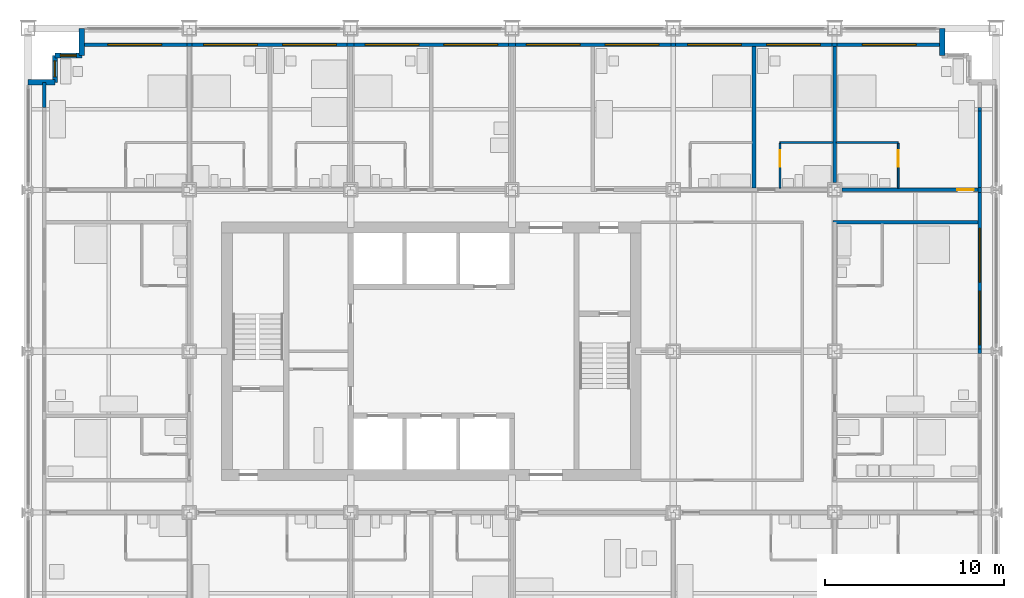
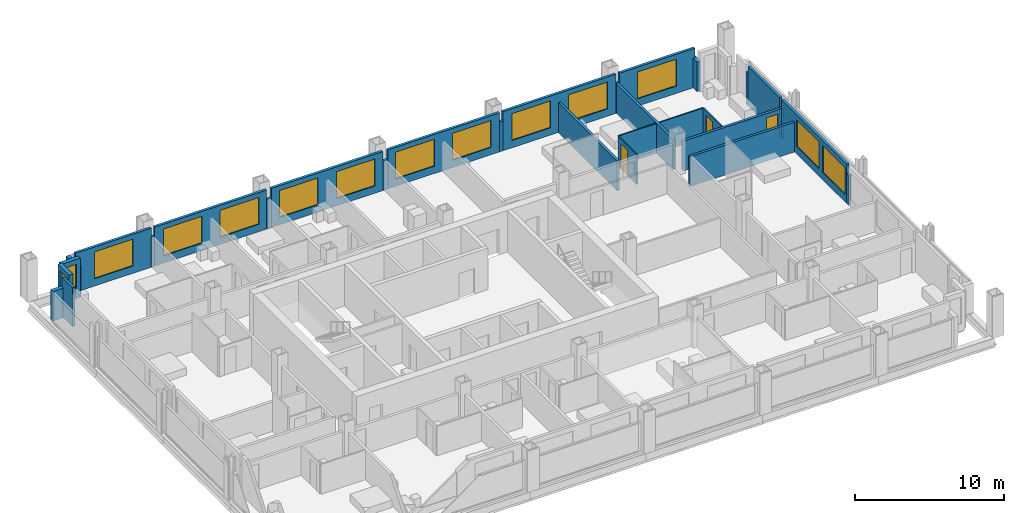
# One storey, part 14 of 18: 30 walls, 14 windows, 3 doors, 17 openings.
"""IFC4 building model written with IfcOpenShell, lengths in metres."""

from ifc_helpers import new_model, si_unit, direction, frame, frame_2d, origin, place, context, subcontext, project, spatial, rectangle, extrude, material, layer, layer_set, type_object, element, fill, save


model = new_model("IFC4")

# Units and contexts
model_context = context("Model", 3, precision=1e-05, world=origin(), true_north=direction((0.0, 1.0)))
body_context = subcontext(model_context, "Body", "Model", "MODEL_VIEW")
ifc_project = project(units=[si_unit("LENGTHUNIT", "METRE"), si_unit("AREAUNIT", "SQUARE_METRE"), si_unit("VOLUMEUNIT", "CUBIC_METRE"), si_unit("PLANEANGLEUNIT", "RADIAN"), si_unit("MASSUNIT", "GRAM", prefix="KILO")], contexts=[model_context])

# Site, building, storey
site_placement = place(None, origin())
site = spatial("IfcSite", under=ifc_project, at=site_placement, CompositionType="ELEMENT")
building_placement = place(site_placement, origin())
building = spatial("IfcBuilding", under=site, at=building_placement, Name="Loomwork Tower", CompositionType="ELEMENT")
storey_placement = place(building_placement, frame((0.0, 0.0, 62.0)))
storey = spatial("IfcBuildingStorey", under=building, at=storey_placement, Name="L15", CompositionType="ELEMENT", Elevation=62.0)

# Wall, opening, door
ifc_material_1 = material(Name="Gypsum board on steel studs, one-hour", Category="steel")
ifc_layer_1 = layer(ifc_material_1, 0.199951171875)
ifc_layer_set_1 = layer_set([ifc_layer_1], Name="Corridor wall 200")
wall_type_1 = type_object("IfcWallType", Name="Corridor wall 200", PredefinedType="PARTITIONING", material=ifc_layer_set_1)
wall_1_placement = place(storey_placement, frame((45.39990234375, 27.0, 0.0), z_axis=(0.0, 0.0, 1.0), x_axis=(1.0, 0.0, 0.0)))
wall_1 = element("IfcWall", 1, at=wall_1_placement, inside=storey, type_object=wall_type_1, Name="North corridor wall 6", PredefinedType="PARTITIONING", context=body_context, shape_type="SweptSolid", body=[
    extrude(rectangle(XDim=7.60009765625, YDim=0.199951171875, at=frame_2d((3.800048828125, 0.0))), origin(), (0.0, 0.0, 1.0), 2.43798828125),
])
opening_1_placement = place(wall_1_placement, frame((6.449951171875, 0.0, 0.0)))
opening_1 = element("IfcOpeningElement", 2, at=opening_1_placement, cuts=wall_1, Name="Opening D1", PredefinedType="OPENING", context=body_context, shape_type="SweptSolid", body=[
    extrude(rectangle(XDim=0.89990234375, YDim=2.10009765625, at=frame_2d((0.449951171875, 1.050048828125))), frame((0.0, 0.10986328125, 0.0), z_axis=(0.0, -1.0, 0.0), x_axis=(1.0, 0.0, 0.0)), (0.0, 0.0, 1.0), 0.219970703125),
])
ifc_material_2 = material(Name="Hollow metal door and frame")
door_type_1 = type_object("IfcDoorType", Name="Guest room entry door 900", OperationType="SINGLE_SWING_LEFT", PredefinedType="DOOR", material=ifc_material_2)
door_1_placement = place(opening_1_placement, origin())
door_1 = element("IfcDoor", 3, at=door_1_placement, inside=storey, type_object=door_type_1, Name="Guest room entry door L15 15", OperationType="SINGLE_SWING_RIGHT", OverallHeight=2.10009765625, OverallWidth=0.89990234375, PredefinedType="DOOR", context=body_context, shape_type="SweptSolid", body=[
    extrude(rectangle(XDim=0.89990234375, YDim=2.10009765625, at=frame_2d((0.449951171875, 1.050048828125))), frame((0.0, 0.02490234375, 0.0), z_axis=(0.0, -1.0, 0.0), x_axis=(1.0, 0.0, 0.0)), (0.0, 0.0, 1.0), 0.050048828125),
])
fill(opening_1, door_1)

# Walls
wall_2_placement = place(storey_placement, frame((44.89990234375, 25.199951171875, 0.0), z_axis=(0.0, 0.0, 1.0), x_axis=(1.0, 0.0, 0.0)))
element("IfcWall", 4, at=wall_2_placement, inside=storey, type_object=wall_type_1, Name="East band end wall N", PredefinedType="PARTITIONING", context=body_context, shape_type="SweptSolid", body=[
    extrude(rectangle(XDim=8.10009765625, YDim=0.199951171875, at=frame_2d((4.050048828125, 0.0))), origin(), (0.0, 0.0, 1.0), 2.43798828125),
])
ifc_material_3 = material(Name="Cement board on steel studs", Category="steel")
ifc_layer_2 = layer(ifc_material_3, 0.10009765625)
ifc_layer_set_2 = layer_set([ifc_layer_2], Name="En-suite partition 100")
wall_type_2 = type_object("IfcWallType", Name="En-suite partition 100", PredefinedType="PARTITIONING", material=ifc_layer_set_2)
wall_3_placement = place(storey_placement, frame((41.949951171875, 29.64990234375, 0.0), z_axis=(0.0, 0.0, 1.0), x_axis=(1.0, 0.0, 0.0)))
element("IfcWall", 5, at=wall_3_placement, inside=storey, type_object=wall_type_2, Name="En-suite wall L15 room 14", PredefinedType="PARTITIONING", context=body_context, shape_type="SweptSolid", body=[
    extrude(rectangle(XDim=2.949951171875, YDim=0.10009765625, at=frame_2d((1.47509765625, 0.0))), origin(), (0.0, 0.0, 1.0), 2.43798828125),
])

# Wall, opening, door
wall_4_placement = place(storey_placement, frame((41.949951171875, 27.10009765625, 0.0), z_axis=(0.0, 0.0, 1.0), x_axis=(0.0, 1.0, 0.0)))
wall_4 = element("IfcWall", 6, at=wall_4_placement, inside=storey, type_object=wall_type_2, Name="En-suite side wall L15 room 14", PredefinedType="PARTITIONING", context=body_context, shape_type="SweptSolid", body=[
    extrude(rectangle(XDim=2.5, YDim=0.10009765625, at=frame_2d((1.25, 0.0))), origin(), (0.0, 0.0, 1.0), 2.43798828125),
])
opening_2_placement = place(wall_4_placement, frame((1.199951171875, 0.0, 0.0)))
opening_2 = element("IfcOpeningElement", 7, at=opening_2_placement, cuts=wall_4, Name="Opening D3", PredefinedType="OPENING", context=body_context, shape_type="SweptSolid", body=[
    extrude(rectangle(XDim=0.89990234375, YDim=2.10009765625, at=frame_2d((0.449951171875, 1.050048828125))), frame((0.0, 0.06005859375, 0.0), z_axis=(0.0, -1.0, 0.0), x_axis=(1.0, 0.0, 0.0)), (0.0, 0.0, 1.0), 0.1201171875),
])
ifc_material_4 = material(Name="Hollow metal door and frame")
door_type_2 = type_object("IfcDoorType", Name="Accessible en-suite door 900", OperationType="SLIDING_TO_LEFT", PredefinedType="DOOR", material=ifc_material_4)
door_2_placement = place(opening_2_placement, origin())
door_2 = element("IfcDoor", 8, at=door_2_placement, inside=storey, type_object=door_type_2, Name="Accessible en-suite door room 14", OperationType="SLIDING_TO_LEFT", OverallHeight=2.10009765625, OverallWidth=0.89990234375, PredefinedType="DOOR", context=body_context, shape_type="SweptSolid", body=[
    extrude(rectangle(XDim=0.89990234375, YDim=2.10009765625, at=frame_2d((0.449951171875, 1.050048828125))), frame((0.0, 0.02490234375, 0.0), z_axis=(0.0, -1.0, 0.0), x_axis=(1.0, 0.0, 0.0)), (0.0, 0.0, 1.0), 0.050048828125),
])
fill(opening_2, door_2)

# Wall
wall_5_placement = place(storey_placement, frame((45.10009765625, 29.64990234375, 0.0), z_axis=(0.0, 0.0, 1.0), x_axis=(1.0, 0.0, 0.0)))
element("IfcWall", 9, at=wall_5_placement, inside=storey, type_object=wall_type_2, Name="En-suite wall L15 room 15", PredefinedType="PARTITIONING", context=body_context, shape_type="SweptSolid", body=[
    extrude(rectangle(XDim=3.449951171875, YDim=0.10009765625, at=frame_2d((1.72509765625, 0.0))), origin(), (0.0, 0.0, 1.0), 2.43798828125),
])

# Wall, opening, door
wall_6_placement = place(storey_placement, frame((48.550048828125, 27.10009765625, 0.0), z_axis=(0.0, 0.0, 1.0), x_axis=(0.0, 1.0, 0.0)))
wall_6 = element("IfcWall", 10, at=wall_6_placement, inside=storey, type_object=wall_type_2, Name="En-suite side wall L15 room 15", PredefinedType="PARTITIONING", context=body_context, shape_type="SweptSolid", body=[
    extrude(rectangle(XDim=2.5, YDim=0.10009765625, at=frame_2d((1.25, 0.0))), origin(), (0.0, 0.0, 1.0), 2.43798828125),
])
opening_3_placement = place(wall_6_placement, frame((1.199951171875, 0.0, 0.0)))
opening_3 = element("IfcOpeningElement", 11, at=opening_3_placement, cuts=wall_6, Name="Opening D2", PredefinedType="OPENING", context=body_context, shape_type="SweptSolid", body=[
    extrude(rectangle(XDim=0.89990234375, YDim=2.10009765625, at=frame_2d((0.449951171875, 1.050048828125))), frame((0.0, 0.06005859375, 0.0), z_axis=(0.0, -1.0, 0.0), x_axis=(1.0, 0.0, 0.0)), (0.0, 0.0, 1.0), 0.1201171875),
])
ifc_material_5 = material(Name="Hollow metal door and frame")
door_type_3 = type_object("IfcDoorType", Name="En-suite door 900", OperationType="SINGLE_SWING_LEFT", PredefinedType="DOOR", material=ifc_material_5)
door_3_placement = place(opening_3_placement, origin())
door_3 = element("IfcDoor", 12, at=door_3_placement, inside=storey, type_object=door_type_3, Name="En-suite door room 15", OperationType="SINGLE_SWING_RIGHT", OverallHeight=2.10009765625, OverallWidth=0.89990234375, PredefinedType="DOOR", context=body_context, shape_type="SweptSolid", body=[
    extrude(rectangle(XDim=0.89990234375, YDim=2.10009765625, at=frame_2d((0.449951171875, 1.050048828125))), frame((0.0, 0.02490234375, 0.0), z_axis=(0.0, -1.0, 0.0), x_axis=(1.0, 0.0, 0.0)), (0.0, 0.0, 1.0), 0.050048828125),
])
fill(opening_3, door_3)

# Walls
ifc_material_6 = material(Name="Gypsum board on steel studs, acoustic", Category="steel")
ifc_layer_3 = layer(ifc_material_6, 0.199951171875)
ifc_layer_set_3 = layer_set([ifc_layer_3], Name="Guest room party wall 200")
wall_type_3 = type_object("IfcWallType", Name="Guest room party wall 200", PredefinedType="PARTITIONING", material=ifc_layer_set_3)
wall_7_placement = place(storey_placement, frame((40.5, 27.10009765625, 0.0), z_axis=(0.0, 0.0, 1.0), x_axis=(0.0, 1.0, 0.0)))
element("IfcWall", 13, at=wall_7_placement, inside=storey, type_object=wall_type_3, Name="Guest room party wall N 40.5", PredefinedType="PARTITIONING", context=body_context, shape_type="SweptSolid", body=[
    extrude(rectangle(XDim=7.89990234375, YDim=0.199951171875, at=frame_2d((3.949951171875, 0.0))), origin(), (0.0, 0.0, 1.0), 2.43798828125),
])
wall_8_placement = place(storey_placement, frame((45.0, 27.39990234375, 0.0), z_axis=(0.0, 0.0, 1.0), x_axis=(0.0, 1.0, 0.0)))
element("IfcWall", 14, at=wall_8_placement, inside=storey, type_object=wall_type_3, Name="Guest room party wall N 45", PredefinedType="PARTITIONING", context=body_context, shape_type="SweptSolid", body=[
    extrude(rectangle(XDim=7.60009765625, YDim=0.199951171875, at=frame_2d((3.800048828125, 0.0))), origin(), (0.0, 0.0, 1.0), 2.43798828125),
])

# Wall, opening, window
ifc_material_7 = material(Name="Insulated steel stud wall with gypsum lining", Category="steel")
ifc_layer_4 = layer(ifc_material_7, 0.199951171875)
ifc_layer_set_4 = layer_set([ifc_layer_4], Name="Inner skin wall 200")
wall_type_4 = type_object("IfcWallType", Name="Inner skin wall 200", PredefinedType="SOLIDWALL", material=ifc_layer_set_4)
wall_9_placement = place(storey_placement, frame((3.0, 35.10009765625, 0.0), z_axis=(0.0, 0.0, 1.0), x_axis=(1.0, 0.0, 0.0)))
wall_9 = element("IfcWall", 15, at=wall_9_placement, inside=storey, type_object=wall_type_4, Name="Inner skin wall N", PredefinedType="SOLIDWALL", context=body_context, shape_type="SweptSolid", body=[
    extrude(rectangle(XDim=5.86474609375, YDim=0.199951171875, at=frame_2d((2.932373046875, 0.0))), origin(), (0.0, 0.0, 1.0), 3.199951171875),
])
opening_4_placement = place(wall_9_placement, frame((1.449951171875, 0.0, 0.60009765625)))
opening_4 = element("IfcOpeningElement", 16, at=opening_4_placement, cuts=wall_9, Name="Opening CH1", PredefinedType="OPENING", context=body_context, shape_type="SweptSolid", body=[
    extrude(rectangle(XDim=3.0, YDim=2.199951171875, at=frame_2d((1.5, 1.10009765625))), frame((0.0, 0.10986328125, 0.0), z_axis=(0.0, -1.0, 0.0), x_axis=(1.0, 0.0, 0.0)), (0.0, 0.0, 1.0), 0.219970703125),
])
ifc_material_8 = material(Name="Aluminium frame with clear insulated glass", Category="aluminium")
window_type_1 = type_object("IfcWindowType", Name="Chicago window 3000", PartitioningType="TRIPLE_PANEL_VERTICAL", PredefinedType="WINDOW", material=ifc_material_8)
window_1_placement = place(opening_4_placement, origin())
window_1 = element("IfcWindow", 17, at=window_1_placement, inside=storey, type_object=window_type_1, Name="Chicago window L15 bay 7", OverallHeight=2.199951171875, OverallWidth=3.0, PartitioningType="TRIPLE_PANEL_VERTICAL", PredefinedType="WINDOW", context=body_context, shape_type="SweptSolid", body=[
    extrude(rectangle(XDim=3.0, YDim=2.199951171875, at=frame_2d((1.5, 1.10009765625))), frame((0.0, 0.030029296875, 0.0), z_axis=(0.0, -1.0, 0.0), x_axis=(1.0, 0.0, 0.0)), (0.0, 0.0, 1.0), 0.06005859375),
])
fill(opening_4, window_1)

# Walls
wall_10_placement = place(storey_placement, frame((0.89990234375, 31.607421875, 0.0), z_axis=(0.0, 0.0, 1.0), x_axis=(0.0, 1.0, 0.0)))
element("IfcWall", 18, at=wall_10_placement, inside=storey, type_object=wall_type_4, Name="Inner skin wall W bay 11", PredefinedType="SOLIDWALL", context=body_context, shape_type="SweptSolid", body=[
    extrude(rectangle(XDim=1.392578125, YDim=0.199951171875, at=frame_2d((0.6962890625, 0.0))), origin(), (0.0, 0.0, 1.0), 3.199951171875),
])
wall_11_placement = place(storey_placement, frame((8.86474609375, 35.10009765625, 0.0), z_axis=(0.0, 0.0, 1.0), x_axis=(1.0, 0.0, 0.0)))
element("IfcWall", 19, at=wall_11_placement, inside=storey, type_object=wall_type_4, Name="Inner skin wall N bay 2", PredefinedType="SOLIDWALL", context=body_context, shape_type="SweptSolid", body=[
    extrude(rectangle(XDim=0.2705078125, YDim=0.199951171875, at=frame_2d((0.13525390625, 0.0))), origin(), (0.0, 0.0, 1.0), 2.43798828125),
])

# Wall, openings, windows
wall_12_placement = place(storey_placement, frame((9.13525390625, 35.10009765625, 0.0), z_axis=(0.0, 0.0, 1.0), x_axis=(1.0, 0.0, 0.0)))
wall_12 = element("IfcWall", 20, at=wall_12_placement, inside=storey, type_object=wall_type_4, Name="Inner skin wall N bay 3", PredefinedType="SOLIDWALL", context=body_context, shape_type="SweptSolid", body=[
    extrude(rectangle(XDim=8.6708984375, YDim=0.199951171875, at=frame_2d((4.33544921875, 0.0))), origin(), (0.0, 0.0, 1.0), 3.199951171875),
])
opening_5_placement = place(wall_12_placement, frame((0.664794921875, 0.0, 0.60009765625)))
opening_5 = element("IfcOpeningElement", 21, at=opening_5_placement, cuts=wall_12, Name="Opening CH1", PredefinedType="OPENING", context=body_context, shape_type="SweptSolid", body=[
    extrude(rectangle(XDim=3.0, YDim=2.199951171875, at=frame_2d((1.5, 1.10009765625))), frame((0.0, 0.10986328125, 0.0), z_axis=(0.0, -1.0, 0.0), x_axis=(1.0, 0.0, 0.0)), (0.0, 0.0, 1.0), 0.219970703125),
])
opening_6_placement = place(wall_12_placement, frame((5.064697265625, 0.0, 0.60009765625)))
opening_6 = element("IfcOpeningElement", 22, at=opening_6_placement, cuts=wall_12, Name="Opening CH1", PredefinedType="OPENING", context=body_context, shape_type="SweptSolid", body=[
    extrude(rectangle(XDim=3.0, YDim=2.199951171875, at=frame_2d((1.5, 1.10009765625))), frame((0.0, 0.10986328125, 0.0), z_axis=(0.0, -1.0, 0.0), x_axis=(1.0, 0.0, 0.0)), (0.0, 0.0, 1.0), 0.219970703125),
])
window_2_placement = place(opening_5_placement, origin())
window_2 = element("IfcWindow", 23, at=window_2_placement, inside=storey, type_object=window_type_1, Name="Chicago window L15 bay 8", OverallHeight=2.199951171875, OverallWidth=3.0, PartitioningType="TRIPLE_PANEL_VERTICAL", PredefinedType="WINDOW", context=body_context, shape_type="SweptSolid", body=[
    extrude(rectangle(XDim=3.0, YDim=2.199951171875, at=frame_2d((1.5, 1.10009765625))), frame((0.0, 0.030029296875, 0.0), z_axis=(0.0, -1.0, 0.0), x_axis=(1.0, 0.0, 0.0)), (0.0, 0.0, 1.0), 0.06005859375),
])
fill(opening_5, window_2)
window_3_placement = place(opening_6_placement, origin())
window_3 = element("IfcWindow", 24, at=window_3_placement, inside=storey, type_object=window_type_1, Name="Chicago window L15 bay 8", OverallHeight=2.199951171875, OverallWidth=3.0, PartitioningType="TRIPLE_PANEL_VERTICAL", PredefinedType="WINDOW", context=body_context, shape_type="SweptSolid", body=[
    extrude(rectangle(XDim=3.0, YDim=2.199951171875, at=frame_2d((1.5, 1.10009765625))), frame((0.0, 0.030029296875, 0.0), z_axis=(0.0, -1.0, 0.0), x_axis=(1.0, 0.0, 0.0)), (0.0, 0.0, 1.0), 0.06005859375),
])
fill(opening_6, window_3)

# Wall
wall_13_placement = place(storey_placement, frame((17.80615234375, 35.10009765625, 0.0), z_axis=(0.0, 0.0, 1.0), x_axis=(1.0, 0.0, 0.0)))
element("IfcWall", 25, at=wall_13_placement, inside=storey, type_object=wall_type_4, Name="Inner skin wall N bay 4", PredefinedType="SOLIDWALL", context=body_context, shape_type="SweptSolid", body=[
    extrude(rectangle(XDim=0.3876953125, YDim=0.199951171875, at=frame_2d((0.19384765625, 0.0))), origin(), (0.0, 0.0, 1.0), 2.404052734375),
])

# Wall, openings, windows
wall_14_placement = place(storey_placement, frame((18.19384765625, 35.10009765625, 0.0), z_axis=(0.0, 0.0, 1.0), x_axis=(1.0, 0.0, 0.0)))
wall_14 = element("IfcWall", 26, at=wall_14_placement, inside=storey, type_object=wall_type_4, Name="Inner skin wall N bay 5", PredefinedType="SOLIDWALL", context=body_context, shape_type="SweptSolid", body=[
    extrude(rectangle(XDim=8.6123046875, YDim=0.199951171875, at=frame_2d((4.30615234375, 0.0))), origin(), (0.0, 0.0, 1.0), 3.199951171875),
])
opening_7_placement = place(wall_14_placement, frame((0.606201171875, 0.0, 0.60009765625)))
opening_7 = element("IfcOpeningElement", 27, at=opening_7_placement, cuts=wall_14, Name="Opening CH1", PredefinedType="OPENING", context=body_context, shape_type="SweptSolid", body=[
    extrude(rectangle(XDim=3.0, YDim=2.199951171875, at=frame_2d((1.5, 1.10009765625))), frame((0.0, 0.10986328125, 0.0), z_axis=(0.0, -1.0, 0.0), x_axis=(1.0, 0.0, 0.0)), (0.0, 0.0, 1.0), 0.219970703125),
])
opening_8_placement = place(wall_14_placement, frame((5.006103515625, 0.0, 0.60009765625)))
opening_8 = element("IfcOpeningElement", 28, at=opening_8_placement, cuts=wall_14, Name="Opening CH1", PredefinedType="OPENING", context=body_context, shape_type="SweptSolid", body=[
    extrude(rectangle(XDim=3.0, YDim=2.199951171875, at=frame_2d((1.5, 1.10009765625))), frame((0.0, 0.10986328125, 0.0), z_axis=(0.0, -1.0, 0.0), x_axis=(1.0, 0.0, 0.0)), (0.0, 0.0, 1.0), 0.219970703125),
])
window_4_placement = place(opening_7_placement, origin())
window_4 = element("IfcWindow", 29, at=window_4_placement, inside=storey, type_object=window_type_1, Name="Chicago window L15 bay 9", OverallHeight=2.199951171875, OverallWidth=3.0, PartitioningType="TRIPLE_PANEL_VERTICAL", PredefinedType="WINDOW", context=body_context, shape_type="SweptSolid", body=[
    extrude(rectangle(XDim=3.0, YDim=2.199951171875, at=frame_2d((1.5, 1.10009765625))), frame((0.0, 0.030029296875, 0.0), z_axis=(0.0, -1.0, 0.0), x_axis=(1.0, 0.0, 0.0)), (0.0, 0.0, 1.0), 0.06005859375),
])
fill(opening_7, window_4)
window_5_placement = place(opening_8_placement, origin())
window_5 = element("IfcWindow", 30, at=window_5_placement, inside=storey, type_object=window_type_1, Name="Chicago window L15 bay 9", OverallHeight=2.199951171875, OverallWidth=3.0, PartitioningType="TRIPLE_PANEL_VERTICAL", PredefinedType="WINDOW", context=body_context, shape_type="SweptSolid", body=[
    extrude(rectangle(XDim=3.0, YDim=2.199951171875, at=frame_2d((1.5, 1.10009765625))), frame((0.0, 0.030029296875, 0.0), z_axis=(0.0, -1.0, 0.0), x_axis=(1.0, 0.0, 0.0)), (0.0, 0.0, 1.0), 0.06005859375),
])
fill(opening_8, window_5)

# Wall
wall_15_placement = place(storey_placement, frame((26.80615234375, 35.10009765625, 0.0), z_axis=(0.0, 0.0, 1.0), x_axis=(1.0, 0.0, 0.0)))
element("IfcWall", 31, at=wall_15_placement, inside=storey, type_object=wall_type_4, Name="Inner skin wall N bay 6", PredefinedType="SOLIDWALL", context=body_context, shape_type="SweptSolid", body=[
    extrude(rectangle(XDim=0.3876953125, YDim=0.199951171875, at=frame_2d((0.19384765625, 0.0))), origin(), (0.0, 0.0, 1.0), 2.404052734375),
])

# Wall, openings, windows
wall_16_placement = place(storey_placement, frame((27.19384765625, 35.10009765625, 0.0), z_axis=(0.0, 0.0, 1.0), x_axis=(1.0, 0.0, 0.0)))
wall_16 = element("IfcWall", 32, at=wall_16_placement, inside=storey, type_object=wall_type_4, Name="Inner skin wall N bay 7", PredefinedType="SOLIDWALL", context=body_context, shape_type="SweptSolid", body=[
    extrude(rectangle(XDim=8.670654296875, YDim=0.199951171875, at=frame_2d((4.33544921875, 0.0))), origin(), (0.0, 0.0, 1.0), 3.199951171875),
])
opening_9_placement = place(wall_16_placement, frame((0.606201171875, 0.0, 0.60009765625)))
opening_9 = element("IfcOpeningElement", 33, at=opening_9_placement, cuts=wall_16, Name="Opening CH1", PredefinedType="OPENING", context=body_context, shape_type="SweptSolid", body=[
    extrude(rectangle(XDim=3.0, YDim=2.199951171875, at=frame_2d((1.5, 1.10009765625))), frame((0.0, 0.10986328125, 0.0), z_axis=(0.0, -1.0, 0.0), x_axis=(1.0, 0.0, 0.0)), (0.0, 0.0, 1.0), 0.219970703125),
])
opening_10_placement = place(wall_16_placement, frame((5.006103515625, 0.0, 0.60009765625)))
opening_10 = element("IfcOpeningElement", 34, at=opening_10_placement, cuts=wall_16, Name="Opening CH1", PredefinedType="OPENING", context=body_context, shape_type="SweptSolid", body=[
    extrude(rectangle(XDim=3.0, YDim=2.199951171875, at=frame_2d((1.5, 1.10009765625))), frame((0.0, 0.10986328125, 0.0), z_axis=(0.0, -1.0, 0.0), x_axis=(1.0, 0.0, 0.0)), (0.0, 0.0, 1.0), 0.219970703125),
])
window_6_placement = place(opening_9_placement, origin())
window_6 = element("IfcWindow", 35, at=window_6_placement, inside=storey, type_object=window_type_1, Name="Chicago window L15 bay 10", OverallHeight=2.199951171875, OverallWidth=3.0, PartitioningType="TRIPLE_PANEL_VERTICAL", PredefinedType="WINDOW", context=body_context, shape_type="SweptSolid", body=[
    extrude(rectangle(XDim=3.0, YDim=2.199951171875, at=frame_2d((1.5, 1.10009765625))), frame((0.0, 0.030029296875, 0.0), z_axis=(0.0, -1.0, 0.0), x_axis=(1.0, 0.0, 0.0)), (0.0, 0.0, 1.0), 0.06005859375),
])
fill(opening_9, window_6)
window_7_placement = place(opening_10_placement, origin())
window_7 = element("IfcWindow", 36, at=window_7_placement, inside=storey, type_object=window_type_1, Name="Chicago window L15 bay 10", OverallHeight=2.199951171875, OverallWidth=3.0, PartitioningType="TRIPLE_PANEL_VERTICAL", PredefinedType="WINDOW", context=body_context, shape_type="SweptSolid", body=[
    extrude(rectangle(XDim=3.0, YDim=2.199951171875, at=frame_2d((1.5, 1.10009765625))), frame((0.0, 0.030029296875, 0.0), z_axis=(0.0, -1.0, 0.0), x_axis=(1.0, 0.0, 0.0)), (0.0, 0.0, 1.0), 0.06005859375),
])
fill(opening_10, window_7)

# Wall
wall_17_placement = place(storey_placement, frame((35.864501953125, 35.10009765625, 0.0), z_axis=(0.0, 0.0, 1.0), x_axis=(1.0, 0.0, 0.0)))
element("IfcWall", 37, at=wall_17_placement, inside=storey, type_object=wall_type_4, Name="Inner skin wall N bay 8", PredefinedType="SOLIDWALL", context=body_context, shape_type="SweptSolid", body=[
    extrude(rectangle(XDim=0.27099609375, YDim=0.199951171875, at=frame_2d((0.135498046875, 0.0))), origin(), (0.0, 0.0, 1.0), 2.43798828125),
])

# Wall, openings, windows
wall_18_placement = place(storey_placement, frame((36.135498046875, 35.10009765625, 0.0), z_axis=(0.0, 0.0, 1.0), x_axis=(1.0, 0.0, 0.0)))
wall_18 = element("IfcWall", 38, at=wall_18_placement, inside=storey, type_object=wall_type_4, Name="Inner skin wall N bay 9", PredefinedType="SOLIDWALL", context=body_context, shape_type="SweptSolid", body=[
    extrude(rectangle(XDim=8.72900390625, YDim=0.199951171875, at=frame_2d((4.364501953125, 0.0))), origin(), (0.0, 0.0, 1.0), 3.199951171875),
])
opening_11_placement = place(wall_18_placement, frame((0.66455078125, 0.0, 0.60009765625)))
opening_11 = element("IfcOpeningElement", 39, at=opening_11_placement, cuts=wall_18, Name="Opening CH1", PredefinedType="OPENING", context=body_context, shape_type="SweptSolid", body=[
    extrude(rectangle(XDim=3.0, YDim=2.199951171875, at=frame_2d((1.5, 1.10009765625))), frame((0.0, 0.10986328125, 0.0), z_axis=(0.0, -1.0, 0.0), x_axis=(1.0, 0.0, 0.0)), (0.0, 0.0, 1.0), 0.219970703125),
])
opening_12_placement = place(wall_18_placement, frame((5.064697265625, 0.0, 0.60009765625)))
opening_12 = element("IfcOpeningElement", 40, at=opening_12_placement, cuts=wall_18, Name="Opening CH1", PredefinedType="OPENING", context=body_context, shape_type="SweptSolid", body=[
    extrude(rectangle(XDim=3.0, YDim=2.199951171875, at=frame_2d((1.5, 1.10009765625))), frame((0.0, 0.10986328125, 0.0), z_axis=(0.0, -1.0, 0.0), x_axis=(1.0, 0.0, 0.0)), (0.0, 0.0, 1.0), 0.219970703125),
])
window_8_placement = place(opening_11_placement, origin())
window_8 = element("IfcWindow", 41, at=window_8_placement, inside=storey, type_object=window_type_1, Name="Chicago window L15 bay 11", OverallHeight=2.199951171875, OverallWidth=3.0, PartitioningType="TRIPLE_PANEL_VERTICAL", PredefinedType="WINDOW", context=body_context, shape_type="SweptSolid", body=[
    extrude(rectangle(XDim=3.0, YDim=2.199951171875, at=frame_2d((1.5, 1.10009765625))), frame((0.0, 0.030029296875, 0.0), z_axis=(0.0, -1.0, 0.0), x_axis=(1.0, 0.0, 0.0)), (0.0, 0.0, 1.0), 0.06005859375),
])
fill(opening_11, window_8)
window_9_placement = place(opening_12_placement, origin())
window_9 = element("IfcWindow", 42, at=window_9_placement, inside=storey, type_object=window_type_1, Name="Chicago window L15 bay 11", OverallHeight=2.199951171875, OverallWidth=3.0, PartitioningType="TRIPLE_PANEL_VERTICAL", PredefinedType="WINDOW", context=body_context, shape_type="SweptSolid", body=[
    extrude(rectangle(XDim=3.0, YDim=2.199951171875, at=frame_2d((1.5, 1.10009765625))), frame((0.0, 0.030029296875, 0.0), z_axis=(0.0, -1.0, 0.0), x_axis=(1.0, 0.0, 0.0)), (0.0, 0.0, 1.0), 0.06005859375),
])
fill(opening_12, window_9)

# Wall
wall_19_placement = place(storey_placement, frame((44.864501953125, 35.10009765625, 0.0), z_axis=(0.0, 0.0, 1.0), x_axis=(1.0, 0.0, 0.0)))
element("IfcWall", 43, at=wall_19_placement, inside=storey, type_object=wall_type_4, Name="Inner skin wall N bay 10", PredefinedType="SOLIDWALL", context=body_context, shape_type="SweptSolid", body=[
    extrude(rectangle(XDim=0.27099609375, YDim=0.199951171875, at=frame_2d((0.135498046875, 0.0))), origin(), (0.0, 0.0, 1.0), 2.43798828125),
])

# Wall, opening, window
wall_20_placement = place(storey_placement, frame((45.135498046875, 35.10009765625, 0.0), z_axis=(0.0, 0.0, 1.0), x_axis=(1.0, 0.0, 0.0)))
wall_20 = element("IfcWall", 44, at=wall_20_placement, inside=storey, type_object=wall_type_4, Name="Inner skin wall N bay 11", PredefinedType="SOLIDWALL", context=body_context, shape_type="SweptSolid", body=[
    extrude(rectangle(XDim=5.864501953125, YDim=0.199951171875, at=frame_2d((2.93212890625, 0.0))), origin(), (0.0, 0.0, 1.0), 3.199951171875),
])
opening_13_placement = place(wall_20_placement, frame((1.41455078125, 0.0, 0.60009765625)))
opening_13 = element("IfcOpeningElement", 45, at=opening_13_placement, cuts=wall_20, Name="Opening CH1", PredefinedType="OPENING", context=body_context, shape_type="SweptSolid", body=[
    extrude(rectangle(XDim=3.0, YDim=2.199951171875, at=frame_2d((1.5, 1.10009765625))), frame((0.0, 0.10986328125, 0.0), z_axis=(0.0, -1.0, 0.0), x_axis=(1.0, 0.0, 0.0)), (0.0, 0.0, 1.0), 0.219970703125),
])
window_10_placement = place(opening_13_placement, origin())
window_10 = element("IfcWindow", 46, at=window_10_placement, inside=storey, type_object=window_type_1, Name="Chicago window L15 bay 12", OverallHeight=2.199951171875, OverallWidth=3.0, PartitioningType="TRIPLE_PANEL_VERTICAL", PredefinedType="WINDOW", context=body_context, shape_type="SweptSolid", body=[
    extrude(rectangle(XDim=3.0, YDim=2.199951171875, at=frame_2d((1.5, 1.10009765625))), frame((0.0, 0.030029296875, 0.0), z_axis=(0.0, -1.0, 0.0), x_axis=(1.0, 0.0, 0.0)), (0.0, 0.0, 1.0), 0.06005859375),
])
fill(opening_13, window_10)

# Wall
wall_21_placement = place(storey_placement, frame((53.10009765625, 17.864501953125, 0.0), z_axis=(0.0, 0.0, 1.0), x_axis=(0.0, 1.0, 0.0)))
element("IfcWall", 47, at=wall_21_placement, inside=storey, type_object=wall_type_4, Name="Inner skin wall E bay 6", PredefinedType="SOLIDWALL", context=body_context, shape_type="SweptSolid", body=[
    extrude(rectangle(XDim=0.27099609375, YDim=0.199951171875, at=frame_2d((0.135498046875, 0.0))), origin(), (0.0, 0.0, 1.0), 2.43798828125),
])

# Wall, openings, windows
wall_22_placement = place(storey_placement, frame((53.10009765625, 18.135498046875, 0.0), z_axis=(0.0, 0.0, 1.0), x_axis=(0.0, 1.0, 0.0)))
wall_22 = element("IfcWall", 48, at=wall_22_placement, inside=storey, type_object=wall_type_4, Name="Inner skin wall E bay 7", PredefinedType="SOLIDWALL", context=body_context, shape_type="SweptSolid", body=[
    extrude(rectangle(XDim=8.729248046875, YDim=0.199951171875, at=frame_2d((4.36474609375, 0.0))), origin(), (0.0, 0.0, 1.0), 3.199951171875),
])
opening_14_placement = place(wall_22_placement, frame((0.214599609375, 0.0, 0.60009765625)))
opening_14 = element("IfcOpeningElement", 49, at=opening_14_placement, cuts=wall_22, Name="Opening CH1", PredefinedType="OPENING", context=body_context, shape_type="SweptSolid", body=[
    extrude(rectangle(XDim=3.0, YDim=2.199951171875, at=frame_2d((1.5, 1.10009765625))), frame((0.0, 0.10986328125, 0.0), z_axis=(0.0, -1.0, 0.0), x_axis=(1.0, 0.0, 0.0)), (0.0, 0.0, 1.0), 0.219970703125),
])
opening_15_placement = place(wall_22_placement, frame((3.714599609375, 0.0, 0.60009765625)))
opening_15 = element("IfcOpeningElement", 50, at=opening_15_placement, cuts=wall_22, Name="Opening CH1", PredefinedType="OPENING", context=body_context, shape_type="SweptSolid", body=[
    extrude(rectangle(XDim=3.0, YDim=2.199951171875, at=frame_2d((1.5, 1.10009765625))), frame((0.0, 0.10986328125, 0.0), z_axis=(0.0, -1.0, 0.0), x_axis=(1.0, 0.0, 0.0)), (0.0, 0.0, 1.0), 0.219970703125),
])
window_11_placement = place(opening_14_placement, origin())
window_11 = element("IfcWindow", 51, at=window_11_placement, inside=storey, type_object=window_type_1, Name="Chicago window L15 bay 16", OverallHeight=2.199951171875, OverallWidth=3.0, PartitioningType="TRIPLE_PANEL_VERTICAL", PredefinedType="WINDOW", context=body_context, shape_type="SweptSolid", body=[
    extrude(rectangle(XDim=3.0, YDim=2.199951171875, at=frame_2d((1.5, 1.10009765625))), frame((0.0, 0.030029296875, 0.0), z_axis=(0.0, -1.0, 0.0), x_axis=(1.0, 0.0, 0.0)), (0.0, 0.0, 1.0), 0.06005859375),
])
fill(opening_14, window_11)
window_12_placement = place(opening_15_placement, origin())
window_12 = element("IfcWindow", 52, at=window_12_placement, inside=storey, type_object=window_type_1, Name="Chicago window L15 bay 16", OverallHeight=2.199951171875, OverallWidth=3.0, PartitioningType="TRIPLE_PANEL_VERTICAL", PredefinedType="WINDOW", context=body_context, shape_type="SweptSolid", body=[
    extrude(rectangle(XDim=3.0, YDim=2.199951171875, at=frame_2d((1.5, 1.10009765625))), frame((0.0, 0.030029296875, 0.0), z_axis=(0.0, -1.0, 0.0), x_axis=(1.0, 0.0, 0.0)), (0.0, 0.0, 1.0), 0.06005859375),
])
fill(opening_15, window_12)

# Walls
wall_23_placement = place(storey_placement, frame((53.10009765625, 26.86474609375, 0.0), z_axis=(0.0, 0.0, 1.0), x_axis=(0.0, 1.0, 0.0)))
element("IfcWall", 53, at=wall_23_placement, inside=storey, type_object=wall_type_4, Name="Inner skin wall E bay 8", PredefinedType="SOLIDWALL", context=body_context, shape_type="SweptSolid", body=[
    extrude(rectangle(XDim=0.2705078125, YDim=0.199951171875, at=frame_2d((0.13525390625, 0.0))), origin(), (0.0, 0.0, 1.0), 2.43798828125),
])
wall_24_placement = place(storey_placement, frame((53.10009765625, 27.13525390625, 0.0), z_axis=(0.0, 0.0, 1.0), x_axis=(0.0, 1.0, 0.0)))
element("IfcWall", 54, at=wall_24_placement, inside=storey, type_object=wall_type_4, Name="Inner skin wall E bay 9", PredefinedType="SOLIDWALL", context=body_context, shape_type="SweptSolid", body=[
    extrude(rectangle(XDim=4.25732421875, YDim=0.199951171875, at=frame_2d((2.128662109375, 0.0))), origin(), (0.0, 0.0, 1.0), 3.199951171875),
])
wall_25_placement = place(storey_placement, frame((53.10009765625, 31.392578125, 0.0), z_axis=(0.0, 0.0, 1.0), x_axis=(0.0, 1.0, 0.0)))
element("IfcWall", 55, at=wall_25_placement, inside=storey, type_object=wall_type_4, Name="Inner skin wall E bay 10", PredefinedType="SOLIDWALL", context=body_context, shape_type="SweptSolid", body=[
    extrude(rectangle(XDim=0.21484375, YDim=0.199951171875, at=frame_2d((0.107421875, 0.0))), origin(), (0.0, 0.0, 1.0), 2.660888671875),
])
ifc_material_9 = material(Name="Limestone on concrete masonry", Category="masonry")
ifc_layer_5 = layer(ifc_material_9, 0.300048828125)
ifc_layer_set_5 = layer_set([ifc_layer_5], Name="Limestone corner wall 300")
wall_type_5 = type_object("IfcWallType", Name="Limestone corner wall 300", PredefinedType="SOLIDWALL", material=ifc_layer_set_5)
for number, where, z_axis, x_axis, name in (
    (56, (51.0, 34.5, 0.0), (0.0, 0.0, 1.0), (0.0, 1.0, 0.0), "Stone corner wall NE 4"),
    (57, (3.0, 36.0, 0.0), (0.0, 0.0, 1.0), (0.0, -1.0, 0.0), "Stone corner wall NW 1"),
):
    element("IfcWall", number, at=place(storey_placement, frame(where, z_axis=z_axis, x_axis=x_axis)), inside=storey, type_object=wall_type_5, Name=name, PredefinedType="SOLIDWALL", context=body_context, shape_type="SweptSolid", body=[
        extrude(rectangle(XDim=1.5, YDim=0.300048828125, at=frame_2d((0.75, 0.0))), origin(), (0.0, 0.0, 1.0), 2.419921875),
    ])

# Wall, opening, window
wall_26_placement = place(storey_placement, frame((3.0, 34.5, 0.0), z_axis=(0.0, 0.0, 1.0), x_axis=(-1.0, 0.0, 0.0)))
wall_26 = element("IfcWall", 58, at=wall_26_placement, inside=storey, type_object=wall_type_5, Name="Stone corner wall NW 2", PredefinedType="SOLIDWALL", context=body_context, shape_type="SweptSolid", body=[
    extrude(rectangle(XDim=1.5, YDim=0.300048828125, at=frame_2d((0.75, 0.0))), origin(), (0.0, 0.0, 1.0), 3.199951171875),
])
opening_16_placement = place(wall_26_placement, frame((0.300048828125, 0.0, 0.60009765625)))
opening_16 = element("IfcOpeningElement", 59, at=opening_16_placement, cuts=wall_26, Name="Opening CH2", PredefinedType="OPENING", context=body_context, shape_type="SweptSolid", body=[
    extrude(rectangle(XDim=0.89990234375, YDim=2.199951171875, at=frame_2d((0.449951171875, 1.10009765625))), frame((0.0, 0.159912109375, 0.0), z_axis=(0.0, -1.0, 0.0), x_axis=(1.0, 0.0, 0.0)), (0.0, 0.0, 1.0), 0.320068359375),
])
ifc_material_10 = material(Name="Aluminium frame with clear insulated glass", Category="aluminium")
window_type_2 = type_object("IfcWindowType", Name="Corner window 900", PartitioningType="SINGLE_PANEL", PredefinedType="WINDOW", material=ifc_material_10)
window_13_placement = place(opening_16_placement, origin())
window_13 = element("IfcWindow", 60, at=window_13_placement, inside=storey, type_object=window_type_2, Name="Corner window NW", OverallHeight=2.199951171875, OverallWidth=0.89990234375, PartitioningType="SINGLE_PANEL", PredefinedType="WINDOW", context=body_context, shape_type="SweptSolid", body=[
    extrude(rectangle(XDim=0.89990234375, YDim=2.199951171875, at=frame_2d((0.449951171875, 1.10009765625))), frame((0.0, 0.030029296875, 0.0), z_axis=(0.0, -1.0, 0.0), x_axis=(1.0, 0.0, 0.0)), (0.0, 0.0, 1.0), 0.06005859375),
])
fill(opening_16, window_13)

wall_27_placement = place(storey_placement, frame((1.5, 34.5, 0.0), z_axis=(0.0, 0.0, 1.0), x_axis=(0.0, -1.0, 0.0)))
wall_27 = element("IfcWall", 61, at=wall_27_placement, inside=storey, type_object=wall_type_5, Name="Stone corner wall NW 3", PredefinedType="SOLIDWALL", context=body_context, shape_type="SweptSolid", body=[
    extrude(rectangle(XDim=1.5, YDim=0.300048828125, at=frame_2d((0.75, 0.0))), origin(), (0.0, 0.0, 1.0), 3.199951171875),
])
opening_17_placement = place(wall_27_placement, frame((0.300048828125, 0.0, 0.60009765625)))
opening_17 = element("IfcOpeningElement", 62, at=opening_17_placement, cuts=wall_27, Name="Opening CH2", PredefinedType="OPENING", context=body_context, shape_type="SweptSolid", body=[
    extrude(rectangle(XDim=0.89990234375, YDim=2.199951171875, at=frame_2d((0.449951171875, 1.10009765625))), frame((0.0, 0.159912109375, 0.0), z_axis=(0.0, -1.0, 0.0), x_axis=(1.0, 0.0, 0.0)), (0.0, 0.0, 1.0), 0.320068359375),
])
window_14_placement = place(opening_17_placement, origin())
window_14 = element("IfcWindow", 63, at=window_14_placement, inside=storey, type_object=window_type_2, Name="Corner window NW", OverallHeight=2.199951171875, OverallWidth=0.89990234375, PartitioningType="SINGLE_PANEL", PredefinedType="WINDOW", context=body_context, shape_type="SweptSolid", body=[
    extrude(rectangle(XDim=0.89990234375, YDim=2.199951171875, at=frame_2d((0.449951171875, 1.10009765625))), frame((0.0, 0.030029296875, 0.0), z_axis=(0.0, -1.0, 0.0), x_axis=(1.0, 0.0, 0.0)), (0.0, 0.0, 1.0), 0.06005859375),
])
fill(opening_17, window_14)

# Wall
wall_28_placement = place(storey_placement, frame((1.5, 33.0, 0.0), z_axis=(0.0, 0.0, 1.0), x_axis=(-1.0, 0.0, 0.0)))
element("IfcWall", 64, at=wall_28_placement, inside=storey, type_object=wall_type_5, Name="Stone corner wall NW 4", PredefinedType="SOLIDWALL", context=body_context, shape_type="SweptSolid", body=[
    extrude(rectangle(XDim=1.5, YDim=0.300048828125, at=frame_2d((0.75, 0.0))), origin(), (0.0, 0.0, 1.0), 2.419921875),
])

save(model, "model.ifc")
